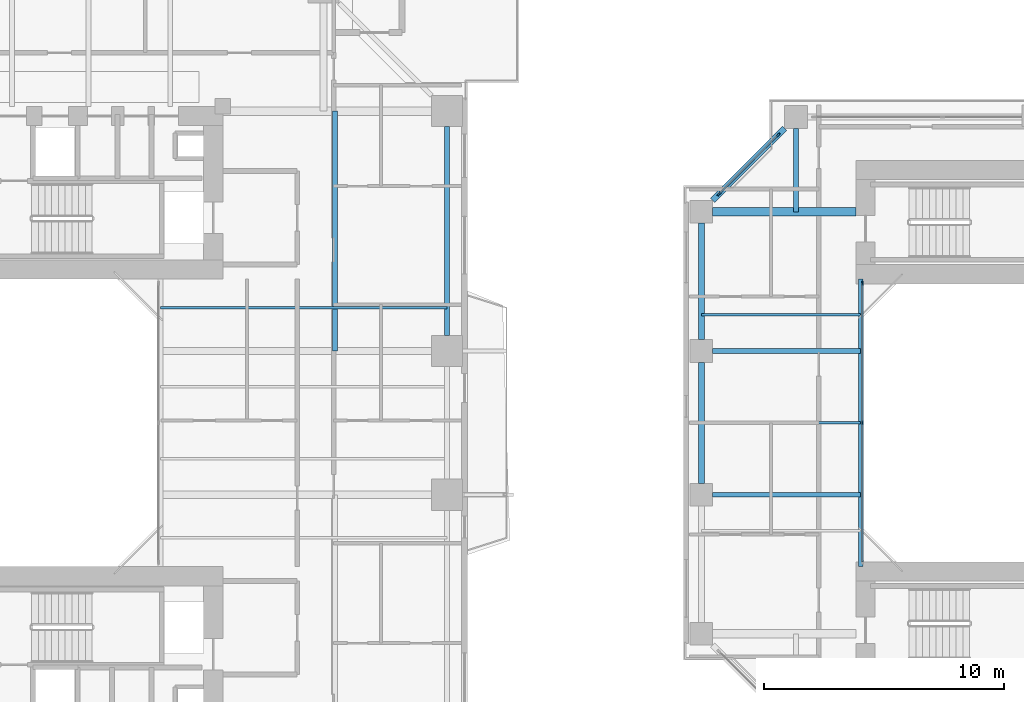
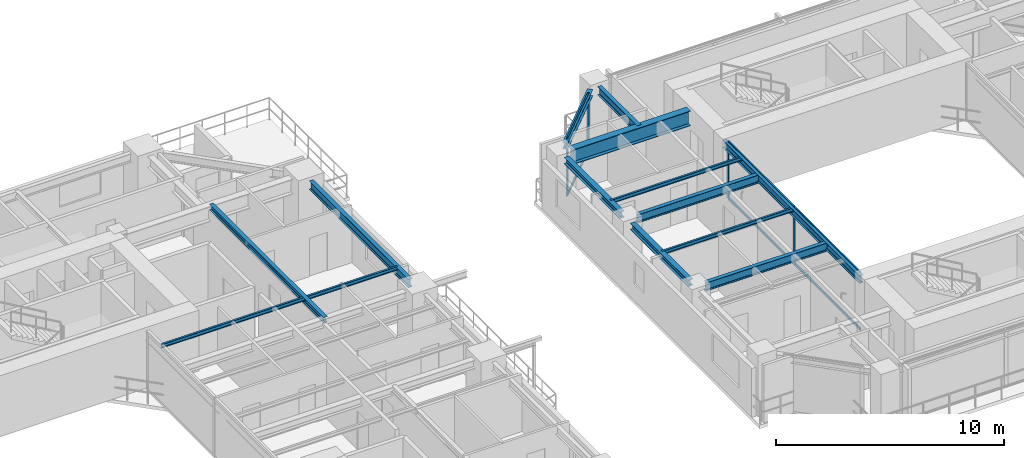
# One storey, part 8 of 23: 13 beams, 10 members, 2 elements without a shape of their own.
"""IFC4 building model written with IfcOpenShell, lengths in metres."""

from ifc_helpers import new_model, si_unit, direction, frame, origin, origin_2d, place, context, subcontext, project, spatial, rectangle, i_section, extrude, source, transform, mapped, material, layer, layer_set, material_profile, profile_set, type_object, element, aggregate, save


model = new_model("IFC4")

# Units and contexts
model_context = context("Model", 3, precision=1e-05, world=origin(), true_north=direction((0.0, 1.0)))
body_context = subcontext(model_context, "Body", "Model", "MODEL_VIEW")
ifc_project = project(units=[si_unit("LENGTHUNIT", "METRE"), si_unit("AREAUNIT", "SQUARE_METRE"), si_unit("VOLUMEUNIT", "CUBIC_METRE"), si_unit("PLANEANGLEUNIT", "RADIAN"), si_unit("MASSUNIT", "GRAM", prefix="KILO"), si_unit("THERMODYNAMICTEMPERATUREUNIT", "KELVIN"), si_unit("POWERUNIT", "WATT")], contexts=[model_context])

# Site, building, storey
site_placement = place(None, origin())
site = spatial("IfcSite", under=ifc_project, at=site_placement, CompositionType="ELEMENT")
building_placement = place(site_placement, origin())
building = spatial("IfcBuilding", under=site, at=building_placement, Name="Qiaomeng Ring Towers", CompositionType="ELEMENT")
storey_placement = place(building_placement, frame((0.0, 0.0, 32.75)))
storey = spatial("IfcBuildingStorey", under=building, at=storey_placement, Name="L08", CompositionType="ELEMENT", Elevation=32.75)

# Beams
ifc_material_1 = material(Name="Steel Q355B", Category="steel")
ifc_material_profile_1 = material_profile(ifc_material_1, i_section(OverallWidth=0.199951171875, OverallDepth=0.449951171875, WebThickness=0.009033203125, FlangeThickness=0.013916015625, FilletRadius=0.01806640625, at=origin_2d()), Name="HN 450x200x9x14")
ifc_profile_set_1 = profile_set([ifc_material_profile_1], Name="Steel Q355B")
beam_type_1 = type_object("IfcBeamType", Name="STR-BM-HN450", PredefinedType="SPANDREL", material=ifc_profile_set_1)
shared_shape_1 = source(origin(), body_context, "Body", "SweptSolid", [
    extrude(i_section(OverallWidth=0.199951171875, OverallDepth=0.449951171875, WebThickness=0.009033203125, FlangeThickness=0.013916015625, FilletRadius=0.01806640625, at=origin_2d()), origin(), (0.0, 0.0, 1.0), 8.7021484375),
])
beam_1_placement = place(storey_placement, frame((37.14990234375, 26.64892578125, 2.844970703125), z_axis=(0.0, 1.0, 0.0), x_axis=(-1.0, 0.0, 0.0)))
element("IfcBeam", 1, at=beam_1_placement, inside=storey, type_object=beam_type_1, Name="L08 beam STR-SP-L08-T1-E3-E4", PredefinedType="SPANDREL", context=body_context, shape_type="MappedRepresentation", body=[
    mapped(shared_shape_1, transform((0.0, 0.0, 0.0), x_axis=(1.0, 0.0, 0.0), y_axis=(0.0, 1.0, 0.0), z_axis=(0.0, 0.0, 1.0), scale=1.0)),
])
ifc_material_profile_2 = material_profile(ifc_material_1, i_section(OverallWidth=0.25, OverallDepth=0.340087890625, WebThickness=0.009033203125, FlangeThickness=0.013916015625, FilletRadius=0.02001953125, at=origin_2d()), Name="HM 340x250x9x14")
ifc_profile_set_2 = profile_set([ifc_material_profile_2], Name="Steel Q355B")
beam_type_2 = type_object("IfcBeamType", Name="STR-BM-HM340", PredefinedType="SPANDREL", material=ifc_profile_set_2)
shared_shape_2 = source(origin(), body_context, "Body", "SweptSolid", [
    extrude(i_section(OverallWidth=0.25, OverallDepth=0.340087890625, WebThickness=0.009033203125, FlangeThickness=0.013916015625, FilletRadius=0.02001953125, at=origin_2d()), origin(), (0.0, 0.0, 1.0), 4.244384765625),
])
beam_2_placement = place(storey_placement, frame((51.2255859375, 35.275634765625, 2.89990234375), z_axis=(-0.707106781187, -0.707106781187, 0.0), x_axis=(0.707106781187, -0.707106781187, 0.0)))
element("IfcBeam", 2, at=beam_2_placement, inside=storey, type_object=beam_type_2, Name="L08 beam STR-SP-L08-T2-N1-W4", PredefinedType="SPANDREL", context=body_context, shape_type="MappedRepresentation", body=[
    mapped(shared_shape_2, transform((0.0, 0.0, 0.0), x_axis=(1.0, 0.0, 0.0), y_axis=(0.0, 1.0, 0.0), z_axis=(0.0, 0.0, 1.0), scale=1.0)),
])
shared_shape_3 = source(origin(), body_context, "Body", "SweptSolid", [
    extrude(i_section(OverallWidth=0.25, OverallDepth=0.340087890625, WebThickness=0.009033203125, FlangeThickness=0.013916015625, FilletRadius=0.02001953125, at=origin_2d()), origin(), (0.0, 0.0, 1.0), 4.851806640625),
])
beam_3_placement = place(storey_placement, frame((47.75, 31.325927734375, 2.89990234375), z_axis=(0.0, -1.0, 0.0), x_axis=(1.0, 0.0, 0.0)))
element("IfcBeam", 3, at=beam_3_placement, inside=storey, type_object=beam_type_2, Name="L08 beam STR-SP-L08-T2-W4-W3", PredefinedType="SPANDREL", context=body_context, shape_type="MappedRepresentation", body=[
    mapped(shared_shape_3, transform((0.0, 0.0, 0.0), x_axis=(1.0, 0.0, 0.0), y_axis=(0.0, 1.0, 0.0), z_axis=(0.0, 0.0, 1.0), scale=1.0)),
])
shared_shape_4 = source(origin(), body_context, "Body", "SweptSolid", [
    extrude(i_section(OverallWidth=0.25, OverallDepth=0.340087890625, WebThickness=0.009033203125, FlangeThickness=0.013916015625, FilletRadius=0.02001953125, at=origin_2d()), origin(), (0.0, 0.0, 1.0), 5.0517578125),
])
beam_4_placement = place(storey_placement, frame((47.75, 25.52587890625, 2.89990234375), z_axis=(0.0, -1.0, 0.0), x_axis=(1.0, 0.0, 0.0)))
element("IfcBeam", 4, at=beam_4_placement, inside=storey, type_object=beam_type_2, Name="L08 beam STR-SP-L08-T2-W3-W2", PredefinedType="SPANDREL", context=body_context, shape_type="MappedRepresentation", body=[
    mapped(shared_shape_4, transform((0.0, 0.0, 0.0), x_axis=(1.0, 0.0, 0.0), y_axis=(0.0, 1.0, 0.0), z_axis=(0.0, 0.0, 1.0), scale=1.0)),
])
ifc_material_profile_3 = material_profile(ifc_material_1, i_section(OverallWidth=0.199951171875, OverallDepth=0.39990234375, WebThickness=0.008056640625, FlangeThickness=0.012939453125, FilletRadius=0.01611328125, at=origin_2d()), Name="HN 400x200x8x13")
ifc_profile_set_3 = profile_set([ifc_material_profile_3], Name="Steel Q355B")
beam_type_3 = type_object("IfcBeamType", Name="STR-BM-HN400", PredefinedType="SPANDREL", material=ifc_profile_set_3)
shared_shape_5 = source(origin(), body_context, "Body", "SweptSolid", [
    extrude(i_section(OverallWidth=0.199951171875, OverallDepth=0.39990234375, WebThickness=0.008056640625, FlangeThickness=0.012939453125, FilletRadius=0.01611328125, at=origin_2d()), origin(), (0.0, 0.0, 1.0), 12.0),
])
beam_5_placement = place(storey_placement, frame((54.39990234375, 17.0, 2.8701171875), z_axis=(0.0, 1.0, 0.0), x_axis=(-1.0, 0.0, 0.0)))
element("IfcBeam", 5, at=beam_5_placement, inside=storey, type_object=beam_type_3, Name="L08 beam STR-BM-L08-T2-WELL-W", PredefinedType="SPANDREL", context=body_context, shape_type="MappedRepresentation", body=[
    mapped(shared_shape_5, transform((0.0, 0.0, 0.0), x_axis=(1.0, 0.0, 0.0), y_axis=(0.0, 1.0, 0.0), z_axis=(0.0, 0.0, 1.0), scale=1.0)),
])
ifc_material_2 = material(Name="Steel Q390GJC", Category="steel")
ifc_material_profile_4 = material_profile(ifc_material_2, i_section(OverallWidth=0.35009765625, OverallDepth=0.800048828125, WebThickness=0.01611328125, FlangeThickness=0.028076171875, at=origin_2d()), Name="WH 800x350x16x28")
ifc_profile_set_4 = profile_set([ifc_material_profile_4], Name="Steel Q390GJC")
beam_type_4 = type_object("IfcBeamType", Name="STR-BM-WH800", PredefinedType="BEAM", material=ifc_profile_set_4)
shared_shape_6 = source(origin(), body_context, "Body", "SweptSolid", [
    extrude(i_section(OverallWidth=0.35009765625, OverallDepth=0.800048828125, WebThickness=0.01611328125, FlangeThickness=0.028076171875, at=origin_2d()), origin(), (0.0, 0.0, 1.0), 5.975830078125),
])
beam_6_placement = place(storey_placement, frame((48.22412109375, 31.800048828125, 2.669921875), z_axis=(1.0, 0.0, 0.0), x_axis=(0.0, 1.0, 0.0)))
element("IfcBeam", 6, at=beam_6_placement, inside=storey, type_object=beam_type_4, Name="L08 beam STR-BM-L08-T2-RAD-W4", PredefinedType="BEAM", context=body_context, shape_type="MappedRepresentation", body=[
    mapped(shared_shape_6, transform((0.0, 0.0, 0.0), x_axis=(1.0, 0.0, 0.0), y_axis=(0.0, 1.0, 0.0), z_axis=(0.0, 0.0, 1.0), scale=1.0)),
])
shared_shape_7 = source(origin(), body_context, "Body", "SweptSolid", [
    extrude(i_section(OverallWidth=0.199951171875, OverallDepth=0.449951171875, WebThickness=0.009033203125, FlangeThickness=0.013916015625, FilletRadius=0.01806640625, at=origin_2d()), origin(), (0.0, 0.0, 1.0), 6.17578125),
])
for number, where, z_axis, x_axis, name in (
    (7, (48.22412109375, 20.0, 2.844970703125), (1.0, 0.0, 0.0), (0.0, 1.0, 0.0), "L08 beam STR-BM-L08-T2-RAD-W2"),
    (8, (48.22412109375, 26.0, 2.844970703125), (1.0, 0.0, 0.0), (0.0, 1.0, 0.0), "L08 beam STR-BM-L08-T2-RAD-W3"),
):
    element("IfcBeam", number, at=place(storey_placement, frame(where, z_axis=z_axis, x_axis=x_axis)), inside=storey, type_object=beam_type_1, Name=name, PredefinedType="SPANDREL", context=body_context, shape_type="MappedRepresentation", body=[
        mapped(shared_shape_7, transform((0.0, 0.0, 0.0), x_axis=(1.0, 0.0, 0.0), y_axis=(0.0, 1.0, 0.0), z_axis=(0.0, 0.0, 1.0), scale=1.0)),
    ])
shared_shape_8 = source(origin(), body_context, "Body", "SweptSolid", [
    extrude(i_section(OverallWidth=0.199951171875, OverallDepth=0.449951171875, WebThickness=0.009033203125, FlangeThickness=0.013916015625, FilletRadius=0.01806640625, at=origin_2d()), origin(), (0.0, 0.0, 1.0), 3.475830078125),
])
beam_7_placement = place(storey_placement, frame((51.699951171875, 35.27587890625, 2.844970703125), z_axis=(0.0, -1.0, 0.0), x_axis=(1.0, 0.0, 0.0)))
element("IfcBeam", 9, at=beam_7_placement, inside=storey, type_object=beam_type_1, Name="L08 beam STR-BM-L08-T2-RAD-N1", PredefinedType="SPANDREL", context=body_context, shape_type="MappedRepresentation", body=[
    mapped(shared_shape_8, transform((0.0, 0.0, 0.0), x_axis=(1.0, 0.0, 0.0), y_axis=(0.0, 1.0, 0.0), z_axis=(0.0, 0.0, 1.0), scale=1.0)),
])
ifc_material_profile_5 = material_profile(ifc_material_1, i_section(OverallWidth=0.10009765625, OverallDepth=0.199951171875, WebThickness=0.005615234375, FlangeThickness=0.008056640625, FilletRadius=0.010986328125, at=origin_2d()), Name="HN 200x100x5.5x8")
ifc_profile_set_5 = profile_set([ifc_material_profile_5], Name="Steel Q355B")
beam_type_5 = type_object("IfcBeamType", Name="STR-BM-HN200", PredefinedType="JOIST", material=ifc_profile_set_5)
shared_shape_9 = source(origin(), body_context, "Body", "SweptSolid", [
    extrude(i_section(OverallWidth=0.10009765625, OverallDepth=0.199951171875, WebThickness=0.005615234375, FlangeThickness=0.008056640625, FilletRadius=0.010986328125, at=origin_2d()), origin(), (0.0, 0.0, 1.0), 11.949951171875),
])
beam_8_placement = place(storey_placement, frame((25.199951171875, 27.800048828125, 2.969970703125), z_axis=(1.0, 0.0, 0.0), x_axis=(0.0, 1.0, 0.0)))
element("IfcBeam", 10, at=beam_8_placement, inside=storey, type_object=beam_type_5, Name="L08 beam STR-JST-L08-T1E-4", PredefinedType="JOIST", context=body_context, shape_type="MappedRepresentation", body=[
    mapped(shared_shape_9, transform((0.0, 0.0, 0.0), x_axis=(1.0, 0.0, 0.0), y_axis=(0.0, 1.0, 0.0), z_axis=(0.0, 0.0, 1.0), scale=1.0)),
])
ifc_material_profile_6 = material_profile(ifc_material_1, i_section(OverallWidth=0.199951171875, OverallDepth=0.2939453125, WebThickness=0.008056640625, FlangeThickness=0.011962890625, FilletRadius=0.01806640625, at=origin_2d()), Name="HM 294x200x8x12")
ifc_profile_set_6 = profile_set([ifc_material_profile_6], Name="Steel Q355B")
beam_type_6 = type_object("IfcBeamType", Name="STR-BM-HM294", PredefinedType="JOIST", material=ifc_profile_set_6)
shared_shape_10 = source(origin(), body_context, "Body", "SweptSolid", [
    extrude(i_section(OverallWidth=0.199951171875, OverallDepth=0.2939453125, WebThickness=0.008056640625, FlangeThickness=0.011962890625, FilletRadius=0.01806640625, at=origin_2d()), origin(), (0.0, 0.0, 1.0), 10.0),
])
beam_9_placement = place(storey_placement, frame((32.47509765625, 26.0, 2.923095703125), z_axis=(0.0, 1.0, 0.0), x_axis=(-1.0, 0.0, 0.0)))
element("IfcBeam", 11, at=beam_9_placement, inside=storey, type_object=beam_type_6, Name="L08 beam STR-JST-L08-T1C-EN", PredefinedType="JOIST", context=body_context, shape_type="MappedRepresentation", body=[
    mapped(shared_shape_10, transform((0.0, 0.0, 0.0), x_axis=(1.0, 0.0, 0.0), y_axis=(0.0, 1.0, 0.0), z_axis=(0.0, 0.0, 1.0), scale=1.0)),
])
shared_shape_11 = source(origin(), body_context, "Body", "SweptSolid", [
    extrude(i_section(OverallWidth=0.10009765625, OverallDepth=0.199951171875, WebThickness=0.005615234375, FlangeThickness=0.008056640625, FilletRadius=0.010986328125, at=origin_2d()), origin(), (0.0, 0.0, 1.0), 6.64990234375),
])
for number, where, z_axis, x_axis, name in (
    (12, (47.75, 23.0, 2.969970703125), (1.0, 0.0, 0.0), (0.0, 1.0, 0.0), "L08 beam STR-JST-L08-T2W-2"),
    (13, (47.75, 27.5, 2.969970703125), (1.0, 0.0, 0.0), (0.0, 1.0, 0.0), "L08 beam STR-JST-L08-T2W-3"),
):
    element("IfcBeam", number, at=place(storey_placement, frame(where, z_axis=z_axis, x_axis=x_axis)), inside=storey, type_object=beam_type_5, Name=name, PredefinedType="JOIST", context=body_context, shape_type="MappedRepresentation", body=[
        mapped(shared_shape_11, transform((0.0, 0.0, 0.0), x_axis=(1.0, 0.0, 0.0), y_axis=(0.0, 1.0, 0.0), z_axis=(0.0, 0.0, 1.0), scale=1.0)),
    ])

# Curtain wall, members
ifc_material_3 = material(Name="Fluorocarbon dark-grey aluminium", Category="aluminium")
ifc_layer_1 = layer(ifc_material_3, 0.139892578125, Name="Fluorocarbon dark-grey aluminium")
ifc_layer_set_1 = layer_set([ifc_layer_1], Name="Fluorocarbon dark-grey aluminium")
curtain_wall_type_1 = type_object("IfcCurtainWallType", Name="ARC-CW-4", PredefinedType="NOTDEFINED", material=ifc_layer_set_1)
curtain_wall_1_placement = place(storey_placement, origin())
curtain_wall_1 = element("IfcCurtainWall", 14, at=curtain_wall_1_placement, inside=storey, type_object=curtain_wall_type_1, Name="L08 Curtain Wall CW4", PredefinedType="NOTDEFINED")
ifc_material_profile_7 = material_profile(ifc_material_3, rectangle(XDim=0.06494140625, YDim=0.159912109375, at=origin_2d()), Name="ALU MULL 65x160")
ifc_profile_set_7 = profile_set([ifc_material_profile_7], Name="Fluorocarbon dark-grey aluminium")
member_type_1 = type_object("IfcMemberType", Name="ARC-CWM-140", PredefinedType="MULLION", material=ifc_profile_set_7)
shared_shape_12 = source(origin(), body_context, "Body", "SweptSolid", [
    extrude(rectangle(XDim=0.06494140625, YDim=0.159912109375, at=origin_2d()), origin(), (0.0, 0.0, 1.0), 3.070068359375),
])
member_1_placement = place(storey_placement, frame((54.47998046875, 23.0, 0.0), z_axis=(0.0, 0.0, 1.0), x_axis=(-1.0, 0.0, 0.0)))
member_1 = element("IfcMember", 15, at=member_1_placement, type_object=member_type_1, Name="CW4 mullion 2", PredefinedType="MULLION", context=body_context, shape_type="MappedRepresentation", body=[
    mapped(shared_shape_12, transform((0.0, 0.0, 0.0), x_axis=(1.0, 0.0, 0.0), y_axis=(0.0, 1.0, 0.0), z_axis=(0.0, 0.0, 1.0), scale=1.0)),
])
member_2_placement = place(storey_placement, frame((54.47998046875, 28.8173828125, 0.0), z_axis=(0.0, 0.0, 1.0), x_axis=(-1.0, 0.0, 0.0)))
member_2 = element("IfcMember", 16, at=member_2_placement, type_object=member_type_1, Name="CW4 mullion 3", PredefinedType="MULLION", context=body_context, shape_type="MappedRepresentation", body=[
    mapped(shared_shape_12, transform((0.0, 0.0, 0.0), x_axis=(1.0, 0.0, 0.0), y_axis=(0.0, 1.0, 0.0), z_axis=(0.0, 0.0, 1.0), scale=1.0)),
])
ifc_material_profile_8 = material_profile(ifc_material_3, rectangle(XDim=0.06494140625, YDim=0.1298828125, at=origin_2d()), Name="ALU TRAN 65x130")
ifc_profile_set_8 = profile_set([ifc_material_profile_8], Name="Fluorocarbon dark-grey aluminium")
member_type_2 = type_object("IfcMemberType", Name="ARC-CWT-120", PredefinedType="USERDEFINED", material=ifc_profile_set_8)
shared_shape_13 = source(origin(), body_context, "Body", "SweptSolid", [
    extrude(rectangle(XDim=0.06494140625, YDim=0.1298828125, at=origin_2d()), origin(), (0.0, 0.0, 1.0), 5.75244140625),
])
member_3_placement = place(storey_placement, frame((54.47998046875, 17.215087890625, 0.032470703125), z_axis=(0.0, 1.0, 0.0), x_axis=(-1.0, 0.0, 0.0)))
member_3 = element("IfcMember", 17, at=member_3_placement, type_object=member_type_2, Name="CW4 transom 1.1", ObjectType="TRANSOM", PredefinedType="USERDEFINED", context=body_context, shape_type="MappedRepresentation", body=[
    mapped(shared_shape_13, transform((0.0, 0.0, 0.0), x_axis=(1.0, 0.0, 0.0), y_axis=(0.0, 1.0, 0.0), z_axis=(0.0, 0.0, 1.0), scale=1.0)),
])
member_4_placement = place(storey_placement, frame((54.47998046875, 17.215087890625, 3.03759765625), z_axis=(0.0, 1.0, 0.0), x_axis=(-1.0, 0.0, 0.0)))
member_4 = element("IfcMember", 18, at=member_4_placement, type_object=member_type_2, Name="CW4 transom 1.2", ObjectType="TRANSOM", PredefinedType="USERDEFINED", context=body_context, shape_type="MappedRepresentation", body=[
    mapped(shared_shape_13, transform((0.0, 0.0, 0.0), x_axis=(1.0, 0.0, 0.0), y_axis=(0.0, 1.0, 0.0), z_axis=(0.0, 0.0, 1.0), scale=1.0)),
])
member_5_placement = place(storey_placement, frame((54.47998046875, 23.032470703125, 0.032470703125), z_axis=(0.0, 1.0, 0.0), x_axis=(-1.0, 0.0, 0.0)))
member_5 = element("IfcMember", 19, at=member_5_placement, type_object=member_type_2, Name="CW4 transom 2.1", ObjectType="TRANSOM", PredefinedType="USERDEFINED", context=body_context, shape_type="MappedRepresentation", body=[
    mapped(shared_shape_13, transform((0.0, 0.0, 0.0), x_axis=(1.0, 0.0, 0.0), y_axis=(0.0, 1.0, 0.0), z_axis=(0.0, 0.0, 1.0), scale=1.0)),
])
member_6_placement = place(storey_placement, frame((54.47998046875, 23.032470703125, 3.03759765625), z_axis=(0.0, 1.0, 0.0), x_axis=(-1.0, 0.0, 0.0)))
member_6 = element("IfcMember", 20, at=member_6_placement, type_object=member_type_2, Name="CW4 transom 2.2", ObjectType="TRANSOM", PredefinedType="USERDEFINED", context=body_context, shape_type="MappedRepresentation", body=[
    mapped(shared_shape_13, transform((0.0, 0.0, 0.0), x_axis=(1.0, 0.0, 0.0), y_axis=(0.0, 1.0, 0.0), z_axis=(0.0, 0.0, 1.0), scale=1.0)),
])
aggregate(curtain_wall_1, [member_1, member_2, member_3, member_4, member_5, member_6])

ifc_layer_2 = layer(ifc_material_3, 0.14990234375, Name="Fluorocarbon dark-grey aluminium")
ifc_layer_set_2 = layer_set([ifc_layer_2], Name="Fluorocarbon dark-grey aluminium")
curtain_wall_type_2 = type_object("IfcCurtainWallType", Name="ARC-CW-5", PredefinedType="NOTDEFINED", material=ifc_layer_set_2)
curtain_wall_2_placement = place(storey_placement, origin())
curtain_wall_2 = element("IfcCurtainWall", 21, at=curtain_wall_2_placement, inside=storey, type_object=curtain_wall_type_2, Name="L08 Curtain Wall CW5", PredefinedType="NOTDEFINED")
ifc_material_profile_9 = material_profile(ifc_material_3, rectangle(XDim=0.070068359375, YDim=0.179931640625, at=origin_2d()), Name="ALU MULL 70x180")
ifc_profile_set_9 = profile_set([ifc_material_profile_9], Name="Fluorocarbon dark-grey aluminium")
member_type_3 = type_object("IfcMemberType", Name="ARC-CWM-160", PredefinedType="MULLION", material=ifc_profile_set_9)
shared_shape_14 = source(origin(), body_context, "Body", "SweptSolid", [
    extrude(rectangle(XDim=0.070068359375, YDim=0.179931640625, at=origin_2d()), origin(), (0.0, 0.0, 1.0), 3.070068359375),
])
member_7_placement = place(storey_placement, frame((50.960205078125, 35.01025390625, 0.0), z_axis=(0.0, 0.0, 1.0), x_axis=(0.707106781187, -0.707106781187, 0.0)))
member_7 = element("IfcMember", 22, at=member_7_placement, type_object=member_type_3, Name="CW5 mullion 1", PredefinedType="MULLION", context=body_context, shape_type="MappedRepresentation", body=[
    mapped(shared_shape_14, transform((0.0, 0.0, 0.0), x_axis=(1.0, 0.0, 0.0), y_axis=(0.0, 1.0, 0.0), z_axis=(0.0, 0.0, 1.0), scale=1.0)),
])
member_8_placement = place(storey_placement, frame((48.48974609375, 32.539794921875, 0.0), z_axis=(0.0, 0.0, 1.0), x_axis=(0.707106781187, -0.707106781187, 0.0)))
member_8 = element("IfcMember", 23, at=member_8_placement, type_object=member_type_3, Name="CW5 mullion 2", PredefinedType="MULLION", context=body_context, shape_type="MappedRepresentation", body=[
    mapped(shared_shape_14, transform((0.0, 0.0, 0.0), x_axis=(1.0, 0.0, 0.0), y_axis=(0.0, 1.0, 0.0), z_axis=(0.0, 0.0, 1.0), scale=1.0)),
])
shared_shape_15 = source(origin(), body_context, "Body", "SweptSolid", [
    extrude(rectangle(XDim=0.06494140625, YDim=0.1298828125, at=origin_2d()), origin(), (0.0, 0.0, 1.0), 3.424072265625),
])
member_9_placement = place(storey_placement, frame((50.935546875, 34.985595703125, 0.032470703125), z_axis=(-0.707106781187, -0.707106781187, 0.0), x_axis=(0.707106781187, -0.707106781187, 0.0)))
member_9 = element("IfcMember", 24, at=member_9_placement, type_object=member_type_2, Name="CW5 transom 1.1", ObjectType="TRANSOM", PredefinedType="USERDEFINED", context=body_context, shape_type="MappedRepresentation", body=[
    mapped(shared_shape_15, transform((0.0, 0.0, 0.0), x_axis=(1.0, 0.0, 0.0), y_axis=(0.0, 1.0, 0.0), z_axis=(0.0, 0.0, 1.0), scale=1.0)),
])
member_10_placement = place(storey_placement, frame((50.935546875, 34.985595703125, 3.03759765625), z_axis=(-0.707106781187, -0.707106781187, 0.0), x_axis=(0.707106781187, -0.707106781187, 0.0)))
member_10 = element("IfcMember", 25, at=member_10_placement, type_object=member_type_2, Name="CW5 transom 1.2", ObjectType="TRANSOM", PredefinedType="USERDEFINED", context=body_context, shape_type="MappedRepresentation", body=[
    mapped(shared_shape_15, transform((0.0, 0.0, 0.0), x_axis=(1.0, 0.0, 0.0), y_axis=(0.0, 1.0, 0.0), z_axis=(0.0, 0.0, 1.0), scale=1.0)),
])
aggregate(curtain_wall_2, [member_7, member_8, member_9, member_10])

save(model, "model.ifc")
